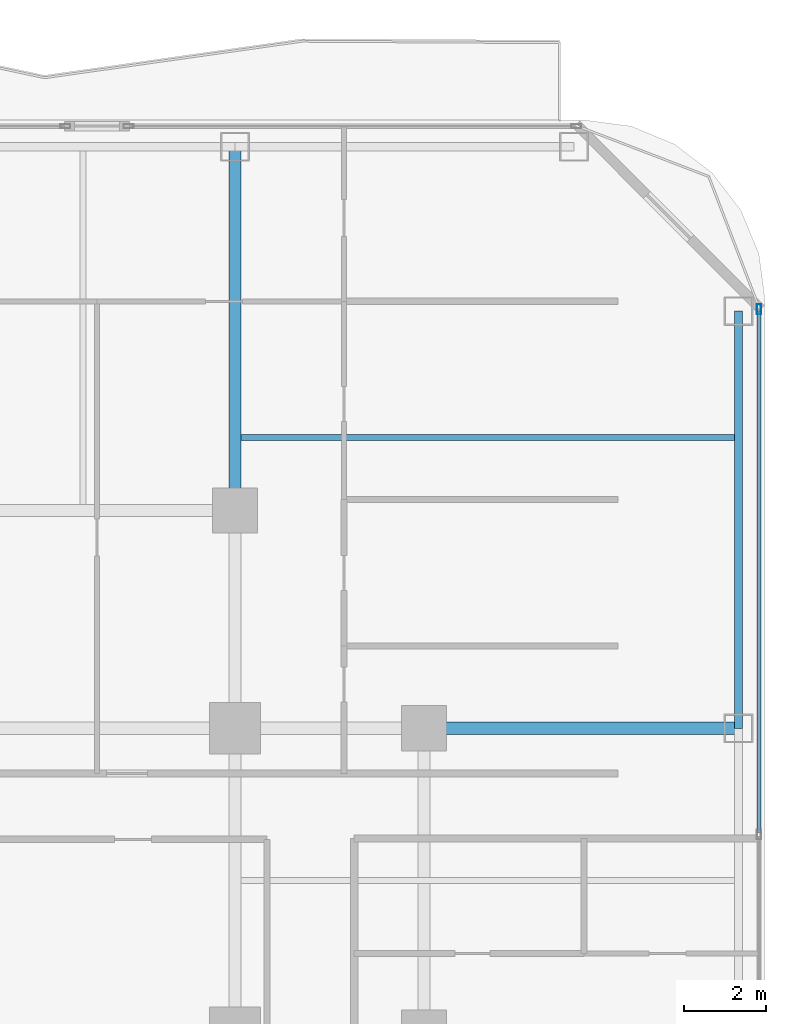
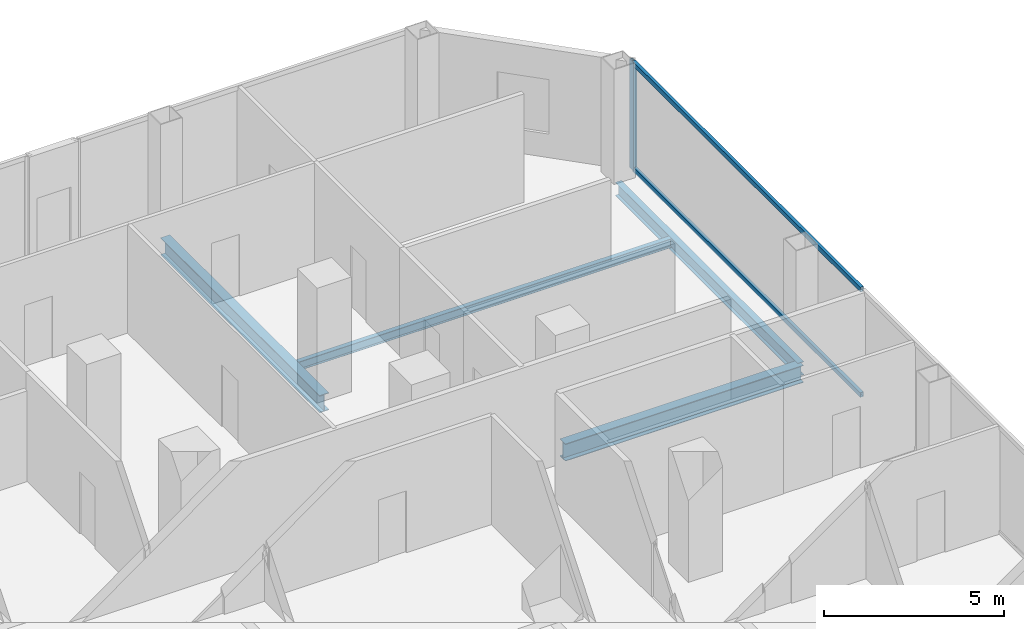
# One storey, part 17 of 27: 4 beams, 3 members, 1 element without a shape of its own.
"""IFC4 building model written with IfcOpenShell, lengths in metres."""

from ifc_helpers import new_model, si_unit, direction, frame, origin, origin_2d, place, context, subcontext, project, spatial, hollow_rectangle, i_section, extrude, material, layer, layer_set, material_profile, profile_set, type_object, element, aggregate, save


model = new_model("IFC4")

# Units and contexts
model_context = context("Model", 3, precision=1e-05, world=origin(), true_north=direction((0.0, 1.0)))
body_context = subcontext(model_context, "Body", "Model", "MODEL_VIEW")
ifc_project = project(units=[si_unit("LENGTHUNIT", "METRE"), si_unit("AREAUNIT", "SQUARE_METRE"), si_unit("VOLUMEUNIT", "CUBIC_METRE"), si_unit("PLANEANGLEUNIT", "RADIAN"), si_unit("MASSUNIT", "GRAM", prefix="KILO")], contexts=[model_context])

# Site, building, storey
site_placement = place(None, origin())
site = spatial("IfcSite", under=ifc_project, at=site_placement, CompositionType="ELEMENT")
building_placement = place(site_placement, origin())
building = spatial("IfcBuilding", under=site, at=building_placement, Name="Khorvyn Point Tower", CompositionType="ELEMENT")
storey_placement = place(building_placement, frame((0.0, 0.0, 125.10009765625)))
storey = spatial("IfcBuildingStorey", under=building, at=storey_placement, Name="L31", CompositionType="ELEMENT", Elevation=125.10009765625)

# Curtain wall, members
ifc_material_1 = material(Name="Anodised aluminium 6063-T6 and laminated Low-E glass", Category="aluminium")
ifc_layer = layer(ifc_material_1, 0.18994140625)
ifc_layer_set = layer_set([ifc_layer], Name="Stick-Built Acoustic Curtain Wall CW-SYS-03")
curtain_wall_type = type_object("IfcCurtainWallType", Name="Stick-Built Acoustic Curtain Wall CW-SYS-03", PredefinedType="NOTDEFINED", material=ifc_layer_set)
curtain_wall_placement = place(storey_placement, origin())
curtain_wall = element("IfcCurtainWall", 1, at=curtain_wall_placement, inside=storey, type_object=curtain_wall_type, Name="Curtain Wall", PredefinedType="NOTDEFINED")
ifc_material_2 = material(Name="Anodised aluminium 6063-T6", Category="aluminium")
ifc_material_profile_1 = material_profile(ifc_material_2, hollow_rectangle(XDim=0.10009765625, YDim=0.239990234375, WallThickness=0.0048828125, at=origin_2d()))
ifc_profile_set_1 = profile_set([ifc_material_profile_1], Name="Anodised aluminium 6063-T6 ALU-MUL-100x240")
member_type_1 = type_object("IfcMemberType", Name="Anodised Aluminium 6063-T6 Mullion ALU-MUL-100x240", PredefinedType="MULLION", material=ifc_profile_set_1)
member_1_placement = place(storey_placement, frame((27.550048828125, 25.0, 0.0), z_axis=(0.0, 0.0, 1.0), x_axis=(1.0, 0.0, 0.0)))
member_1 = element("IfcMember", 2, at=member_1_placement, type_object=member_type_1, Name="Transom", PredefinedType="MULLION", context=body_context, shape_type="SweptSolid", body=[
    extrude(hollow_rectangle(XDim=0.10009765625, YDim=0.239990234375, WallThickness=0.0048828125, at=origin_2d()), origin(), (0.0, 0.0, 1.0), 3.679931640625),
])
ifc_material_profile_2 = material_profile(ifc_material_2, hollow_rectangle(XDim=0.10009765625, YDim=0.159912109375, WallThickness=0.00439453125, at=origin_2d()))
ifc_profile_set_2 = profile_set([ifc_material_profile_2], Name="Anodised aluminium 6063-T6 ALU-TRN-100x160")
member_type_2 = type_object("IfcMemberType", Name="Anodised Aluminium 6063-T6 Transom ALU-TRN-100x160", PredefinedType="USERDEFINED", material=ifc_profile_set_2)
member_2_placement = place(storey_placement, frame((27.550048828125, 24.949951171875, 0.0498046875), z_axis=(0.0, -1.0, 0.0), x_axis=(1.0, 0.0, 0.0)))
member_2 = element("IfcMember", 3, at=member_2_placement, type_object=member_type_2, Name="Transom", ObjectType="TRANSOM", PredefinedType="USERDEFINED", context=body_context, shape_type="SweptSolid", body=[
    extrude(hollow_rectangle(XDim=0.10009765625, YDim=0.159912109375, WallThickness=0.00439453125, at=origin_2d()), origin(), (0.0, 0.0, 1.0), 12.683349609375),
])
member_3_placement = place(storey_placement, frame((27.550048828125, 24.949951171875, 3.6298828125), z_axis=(0.0, -1.0, 0.0), x_axis=(1.0, 0.0, 0.0)))
member_3 = element("IfcMember", 4, at=member_3_placement, type_object=member_type_2, Name="Transom", ObjectType="TRANSOM", PredefinedType="USERDEFINED", context=body_context, shape_type="SweptSolid", body=[
    extrude(hollow_rectangle(XDim=0.10009765625, YDim=0.159912109375, WallThickness=0.00439453125, at=origin_2d()), origin(), (0.0, 0.0, 1.0), 12.683349609375),
])
aggregate(curtain_wall, [member_1, member_2, member_3])

# Beams
ifc_material_3 = material(Name="Steel S355", Category="steel")
ifc_material_profile_3 = material_profile(ifc_material_3, i_section(OverallWidth=0.300048828125, OverallDepth=0.587890625, WebThickness=0.011962890625, FlangeThickness=0.02001953125, at=origin_2d()))
ifc_profile_set_3 = profile_set([ifc_material_profile_3], Name="Steel S355 H588x300x12x20")
beam_type_1 = type_object("IfcBeamType", Name="Steel S355 Beam H588x300x12x20", PredefinedType="BEAM", material=ifc_profile_set_3)
beam_1_placement = place(storey_placement, frame((19.39990234375, 14.800048828125, -0.51416015625), z_axis=(1.0, 0.0, 0.0), x_axis=(0.0, 1.0, 0.0)))
element("IfcBeam", 5, at=beam_1_placement, inside=storey, type_object=beam_type_1, Name="Beam", PredefinedType="BEAM", context=body_context, shape_type="SweptSolid", body=[
    extrude(i_section(OverallWidth=0.300048828125, OverallDepth=0.587890625, WebThickness=0.011962890625, FlangeThickness=0.02001953125, at=origin_2d()), origin(), (0.0, 0.0, 1.0), 7.650146484375),
])
beam_2_placement = place(storey_placement, frame((14.800048828125, 20.10009765625, -0.51416015625), z_axis=(0.0, 1.0, 0.0), x_axis=(-1.0, 0.0, 0.0)))
element("IfcBeam", 6, at=beam_2_placement, inside=storey, type_object=beam_type_1, Name="Beam", PredefinedType="BEAM", context=body_context, shape_type="SweptSolid", body=[
    extrude(i_section(OverallWidth=0.300048828125, OverallDepth=0.587890625, WebThickness=0.011962890625, FlangeThickness=0.02001953125, at=origin_2d()), origin(), (0.0, 0.0, 1.0), 8.849853515625),
])
ifc_material_profile_4 = material_profile(ifc_material_3, i_section(OverallWidth=0.14990234375, OverallDepth=0.300048828125, WebThickness=0.006591796875, FlangeThickness=0.009033203125, at=origin_2d()))
ifc_profile_set_4 = profile_set([ifc_material_profile_4], Name="Steel S355 H300x150x6.5x9")
beam_type_2 = type_object("IfcBeamType", Name="Steel S355 Joist H300x150x6.5x9", PredefinedType="JOIST", material=ifc_profile_set_4)
beam_3_placement = place(storey_placement, frame((14.949951171875, 21.875, -0.3701171875), z_axis=(1.0, 0.0, 0.0), x_axis=(0.0, 1.0, 0.0)))
element("IfcBeam", 7, at=beam_3_placement, inside=storey, type_object=beam_type_2, Name="Beam", PredefinedType="JOIST", context=body_context, shape_type="SweptSolid", body=[
    extrude(i_section(OverallWidth=0.14990234375, OverallDepth=0.300048828125, WebThickness=0.006591796875, FlangeThickness=0.009033203125, at=origin_2d()), origin(), (0.0, 0.0, 1.0), 12.0),
])
ifc_material_profile_5 = material_profile(ifc_material_3, i_section(OverallWidth=0.199951171875, OverallDepth=0.449951171875, WebThickness=0.009033203125, FlangeThickness=0.013916015625, at=origin_2d()))
ifc_profile_set_5 = profile_set([ifc_material_profile_5], Name="Steel S355 H450x200x9x14")
beam_type_3 = type_object("IfcBeamType", Name="Steel S355 Spandrel H450x200x9x14", PredefinedType="SPANDREL", material=ifc_profile_set_5)
beam_4_placement = place(storey_placement, frame((27.050048828125, 14.800048828125, -0.445068359375), z_axis=(0.0, 1.0, 0.0), x_axis=(-1.0, 0.0, 0.0)))
element("IfcBeam", 8, at=beam_4_placement, inside=storey, type_object=beam_type_3, Name="Beam", PredefinedType="SPANDREL", context=body_context, shape_type="SweptSolid", body=[
    extrude(i_section(OverallWidth=0.199951171875, OverallDepth=0.449951171875, WebThickness=0.009033203125, FlangeThickness=0.013916015625, at=origin_2d()), origin(), (0.0, 0.0, 1.0), 10.14990234375),
])

save(model, "model.ifc")
